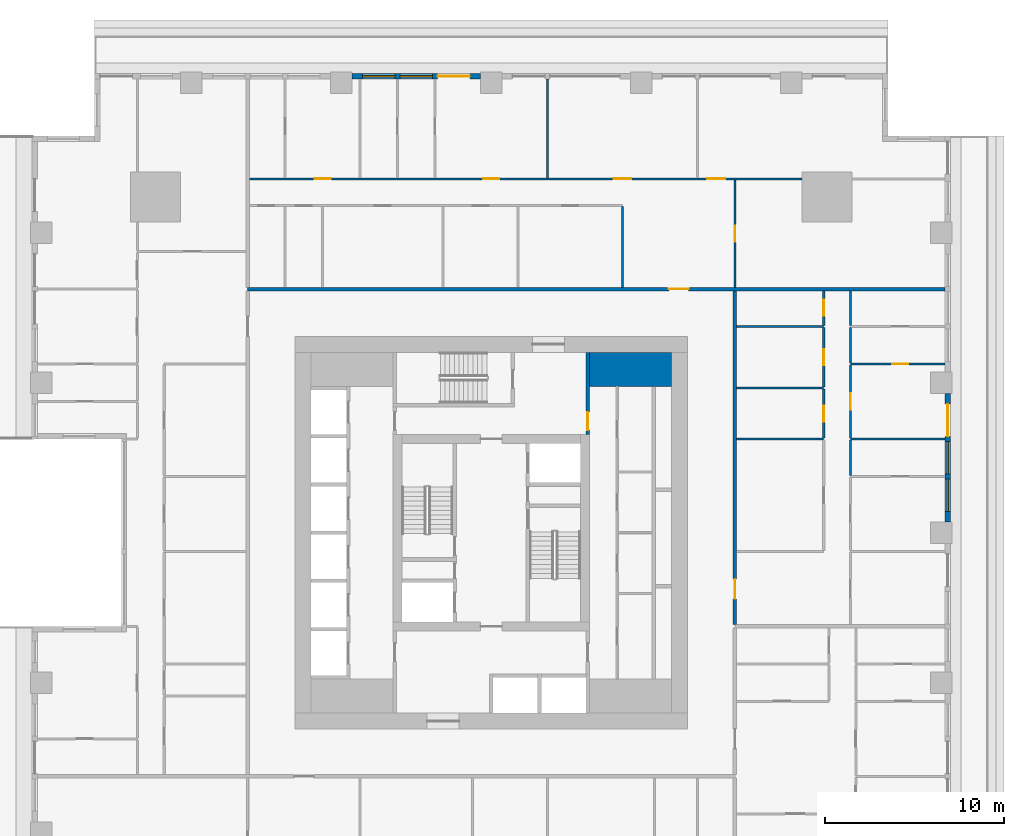
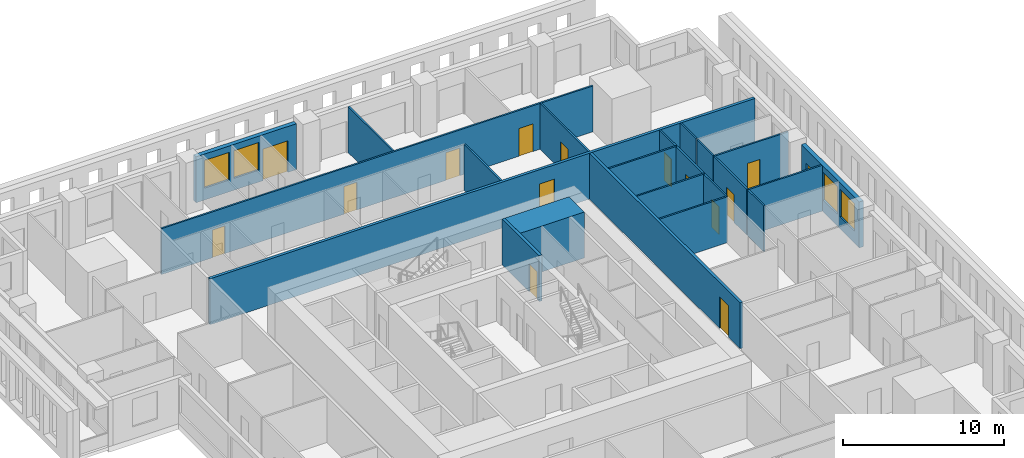
# One storey, part 8 of 14: 22 walls, 15 doors, 4 windows, 19 openings.
"""IFC4 building model written with IfcOpenShell, lengths in metres."""

from ifc_helpers import new_model, si_unit, direction, frame, frame_2d, origin, place, context, subcontext, project, spatial, rectangle, extrude, material, layer, layer_set, type_object, element, fill, save


model = new_model("IFC4")

# Units and contexts
model_context = context("Model", 3, precision=1e-05, world=origin(), true_north=direction((0.0, 1.0)))
body_context = subcontext(model_context, "Body", "Model", "MODEL_VIEW")
ifc_project = project(units=[si_unit("LENGTHUNIT", "METRE"), si_unit("AREAUNIT", "SQUARE_METRE"), si_unit("VOLUMEUNIT", "CUBIC_METRE"), si_unit("PLANEANGLEUNIT", "RADIAN"), si_unit("MASSUNIT", "GRAM", prefix="KILO")], contexts=[model_context])

# Site, building, storey
site_placement = place(None, origin())
site = spatial("IfcSite", under=ifc_project, at=site_placement, CompositionType="ELEMENT")
building_placement = place(site_placement, origin())
building = spatial("IfcBuilding", under=site, at=building_placement, Name="Khepri Terraces", CompositionType="ELEMENT")
storey_placement = place(building_placement, frame((0.0, 0.0, 90.89990234375)))
storey = spatial("IfcBuildingStorey", under=building, at=storey_placement, Name="L21", CompositionType="ELEMENT", Elevation=90.89990234375)

# Wall
ifc_material_1 = material(Name="Concrete C70/85", Category="concrete")
ifc_layer_1 = layer(ifc_material_1, 1.89990234375, Name="Concrete C70/85", Category="concrete")
ifc_layer_set_1 = layer_set([ifc_layer_1], Name="Concrete C70/85")
wall_type_1 = type_object("IfcWallType", Name="Core wall 1900 C70/85", PredefinedType="SHEAR", material=ifc_layer_set_1)
wall_1_placement = place(storey_placement, frame((5.5, 9.14990234375, 0.0), z_axis=(0.0, 0.0, 1.0), x_axis=(1.0, 0.0, 0.0)))
element("IfcWall", 1, at=wall_1_placement, inside=storey, type_object=wall_type_1, Name="Core wall PR04 L21", PredefinedType="SHEAR", context=body_context, shape_type="SweptSolid", body=[
    extrude(rectangle(XDim=4.60009765625, YDim=1.89990234375, at=frame_2d((2.300048828125, 0.0))), origin(), (0.0, 0.0, 1.0), 3.47998046875),
])

# Wall, opening, door
ifc_material_2 = material(Name="Fire-rated gypsum board partition")
ifc_layer_2 = layer(ifc_material_2, 0.199951171875, Name="Fire-rated gypsum board partition")
ifc_layer_set_2 = layer_set([ifc_layer_2], Name="Fire-rated gypsum board partition")
wall_type_2 = type_object("IfcWallType", Name="WL-CORE-PART-200", PredefinedType="PARTITIONING", material=ifc_layer_set_2)
wall_2_placement = place(storey_placement, frame((5.39990234375, 5.5, 0.0), z_axis=(0.0, 0.0, 1.0), x_axis=(0.0, 1.0, 0.0)))
wall_2 = element("IfcWall", 2, at=wall_2_placement, inside=storey, type_object=wall_type_2, Name="Core partition PT08 L21", PredefinedType="PARTITIONING", context=body_context, shape_type="SweptSolid", body=[
    extrude(rectangle(XDim=4.60009765625, YDim=0.199951171875, at=frame_2d((2.300048828125, 0.0))), origin(), (0.0, 0.0, 1.0), 3.47998046875),
])
opening_1_placement = place(wall_2_placement, frame((0.25, 0.0, 0.0)))
opening_1 = element("IfcOpeningElement", 3, at=opening_1_placement, cuts=wall_2, Name="Opening L21-C17", PredefinedType="OPENING", context=body_context, shape_type="SweptSolid", body=[
    extrude(rectangle(XDim=1.0, YDim=2.10009765625, at=frame_2d((0.5, 1.050048828125))), frame((0.0, 0.10986328125, 0.0), z_axis=(0.0, -1.0, 0.0), x_axis=(1.0, 0.0, 0.0)), (0.0, 0.0, 1.0), 0.219970703125),
])
ifc_material_3 = material(Name="Painted steel", Category="steel")
door_type_1 = type_object("IfcDoorType", Name="DR-CORE-LOBBY-1000", OperationType="NOTDEFINED", PredefinedType="DOOR", material=ifc_material_3)
door_1_placement = place(opening_1_placement, origin())
door_1 = element("IfcDoor", 4, at=door_1_placement, inside=storey, type_object=door_type_1, Name="Lobby door L21-C17", OperationType="SINGLE_SWING_LEFT", OverallHeight=2.10009765625, OverallWidth=1.0, PredefinedType="DOOR", context=body_context, shape_type="SweptSolid", body=[
    extrude(rectangle(XDim=1.0, YDim=2.10009765625, at=frame_2d((0.5, 1.050048828125))), frame((0.0, 0.02490234375, 0.0), z_axis=(0.0, -1.0, 0.0), x_axis=(1.0, 0.0, 0.0)), (0.0, 0.0, 1.0), 0.050048828125),
])
fill(opening_1, door_1)

ifc_material_4 = material(Name="Fire-rated gypsum plasterboard partition, mineral wool")
ifc_layer_3 = layer(ifc_material_4, 0.199951171875, Name="Fire-rated gypsum plasterboard partition, mineral wool")
ifc_layer_set_3 = layer_set([ifc_layer_3], Name="Fire-rated gypsum plasterboard partition, mineral wool")
wall_type_3 = type_object("IfcWallType", Name="WL-CORR-200", PredefinedType="PARTITIONING", material=ifc_layer_set_3)
wall_3_placement = place(storey_placement, frame((13.64990234375, -5.14990234375, 0.0), z_axis=(0.0, 0.0, 1.0), x_axis=(0.0, 1.0, 0.0)))
wall_3 = element("IfcWall", 5, at=wall_3_placement, inside=storey, type_object=wall_type_3, Name="Partition P-042 L21", PredefinedType="PARTITIONING", context=body_context, shape_type="SweptSolid", body=[
    extrude(rectangle(XDim=18.699951171875, YDim=0.199951171875, at=frame_2d((9.35009765625, 0.0))), origin(), (0.0, 0.0, 1.0), 3.47998046875),
])
opening_2_placement = place(wall_3_placement, frame((1.449951171875, 0.0, 0.0)))
opening_2 = element("IfcOpeningElement", 6, at=opening_2_placement, cuts=wall_3, Name="Opening D1", PredefinedType="OPENING", context=body_context, shape_type="SweptSolid", body=[
    extrude(rectangle(XDim=1.10009765625, YDim=2.39990234375, at=frame_2d((0.550048828125, 1.199951171875))), frame((0.0, 0.10986328125, 0.0), z_axis=(0.0, -1.0, 0.0), x_axis=(1.0, 0.0, 0.0)), (0.0, 0.0, 1.0), 0.219970703125),
])
ifc_material_5 = material(Name="Solid-core timber door leaf, flat entrance door", Category="wood")
door_type_2 = type_object("IfcDoorType", Name="DR-ENT-1100", OperationType="NOTDEFINED", PredefinedType="DOOR", material=ifc_material_5)
door_2_placement = place(opening_2_placement, frame((1.10009765625, 0.0, 0.0), z_axis=(0.0, 0.0, 1.0), x_axis=(-1.0, 0.0, 0.0)))
door_2 = element("IfcDoor", 7, at=door_2_placement, inside=storey, type_object=door_type_2, Name="Flat B2 entrance door", OperationType="SINGLE_SWING_RIGHT", OverallHeight=2.39990234375, OverallWidth=1.10009765625, PredefinedType="DOOR", context=body_context, shape_type="SweptSolid", body=[
    extrude(rectangle(XDim=1.10009765625, YDim=2.39990234375, at=frame_2d((0.550048828125, 1.199951171875))), frame((0.0, 0.02490234375, 0.0), z_axis=(0.0, -1.0, 0.0), x_axis=(1.0, 0.0, 0.0)), (0.0, 0.0, 1.0), 0.050048828125),
])
fill(opening_2, door_2)

wall_4_placement = place(storey_placement, frame((-13.64990234375, 13.64990234375, 0.0), z_axis=(0.0, 0.0, 1.0), x_axis=(1.0, 0.0, 0.0)))
wall_4 = element("IfcWall", 8, at=wall_4_placement, inside=storey, type_object=wall_type_3, Name="Partition P-074 L21", PredefinedType="PARTITIONING", context=body_context, shape_type="SweptSolid", body=[
    extrude(rectangle(XDim=39.06982421875, YDim=0.199951171875, at=frame_2d((19.534912109375, 0.0))), origin(), (0.0, 0.0, 1.0), 3.47998046875),
])
opening_3_placement = place(wall_4_placement, frame((23.60009765625, 0.0, 0.0)))
opening_3 = element("IfcOpeningElement", 9, at=opening_3_placement, cuts=wall_4, Name="Opening D1", PredefinedType="OPENING", context=body_context, shape_type="SweptSolid", body=[
    extrude(rectangle(XDim=1.10009765625, YDim=2.39990234375, at=frame_2d((0.550048828125, 1.199951171875))), frame((0.0, 0.10986328125, 0.0), z_axis=(0.0, -1.0, 0.0), x_axis=(1.0, 0.0, 0.0)), (0.0, 0.0, 1.0), 0.219970703125),
])
door_3_placement = place(opening_3_placement, origin())
door_3 = element("IfcDoor", 10, at=door_3_placement, inside=storey, type_object=door_type_2, Name="Flat C1 entrance door", OperationType="SINGLE_SWING_RIGHT", OverallHeight=2.39990234375, OverallWidth=1.10009765625, PredefinedType="DOOR", context=body_context, shape_type="SweptSolid", body=[
    extrude(rectangle(XDim=1.10009765625, YDim=2.39990234375, at=frame_2d((0.550048828125, 1.199951171875))), frame((0.0, 0.02490234375, 0.0), z_axis=(0.0, -1.0, 0.0), x_axis=(1.0, 0.0, 0.0)), (0.0, 0.0, 1.0), 0.050048828125),
])
fill(opening_3, door_3)

# Wall, openings, door, windows
ifc_material_6 = material(Name="Precast concrete C50/60 warm stone", Category="masonry")
ifc_layer_4 = layer(ifc_material_6, 0.300048828125, Name="Precast concrete C50/60 warm stone", Category="masonry")
ifc_layer_set_4 = layer_set([ifc_layer_4], Name="Precast concrete C50/60 warm stone")
wall_type_4 = type_object("IfcWallType", Name="WL-EXT-PRECAST-300", PredefinedType="STANDARD", material=ifc_layer_set_4)
wall_5_placement = place(storey_placement, frame((25.570068359375, 0.60009765625, 0.0), z_axis=(0.0, 0.0, 1.0), x_axis=(0.0, 1.0, 0.0)))
wall_5 = element("IfcWall", 11, at=wall_5_placement, inside=storey, type_object=wall_type_4, Name="External wall L21 E", PredefinedType="STANDARD", context=body_context, shape_type="SweptSolid", body=[
    extrude(rectangle(XDim=7.199951171875, YDim=0.300048828125, at=frame_2d((3.60009765625, 0.0))), origin(), (0.0, 0.0, 1.0), 3.47998046875),
])
opening_4_placement = place(wall_5_placement, frame((0.60009765625, 0.0, 0.89990234375)))
opening_4 = element("IfcOpeningElement", 12, at=opening_4_placement, cuts=wall_5, Name="Opening W1", PredefinedType="OPENING", context=body_context, shape_type="SweptSolid", body=[
    extrude(rectangle(XDim=1.800048828125, YDim=2.10009765625, at=frame_2d((0.89990234375, 1.050048828125))), frame((0.0, 0.16015625, 0.0), z_axis=(0.0, -1.0, 0.0), x_axis=(1.0, 0.0, 0.0)), (0.0, 0.0, 1.0), 0.320068359375),
])
opening_5_placement = place(wall_5_placement, frame((2.699951171875, 0.0, 0.89990234375)))
opening_5 = element("IfcOpeningElement", 13, at=opening_5_placement, cuts=wall_5, Name="Opening W1", PredefinedType="OPENING", context=body_context, shape_type="SweptSolid", body=[
    extrude(rectangle(XDim=1.800048828125, YDim=2.10009765625, at=frame_2d((0.89990234375, 1.050048828125))), frame((0.0, 0.16015625, 0.0), z_axis=(0.0, -1.0, 0.0), x_axis=(1.0, 0.0, 0.0)), (0.0, 0.0, 1.0), 0.320068359375),
])
opening_6_placement = place(wall_5_placement, frame((4.800048828125, 0.0, 0.0)))
opening_6 = element("IfcOpeningElement", 14, at=opening_6_placement, cuts=wall_5, Name="Opening ED-L21-05", PredefinedType="OPENING", context=body_context, shape_type="SweptSolid", body=[
    extrude(rectangle(XDim=1.800048828125, YDim=2.39990234375, at=frame_2d((0.89990234375, 1.199951171875))), frame((0.0, 0.16015625, 0.0), z_axis=(0.0, -1.0, 0.0), x_axis=(1.0, 0.0, 0.0)), (0.0, 0.0, 1.0), 0.320068359375),
])
ifc_material_7 = material(Name="Anodised aluminium bronze glazed door", Category="aluminium")
door_type_3 = type_object("IfcDoorType", Name="DR-BAL-SLIDE-1800x2400", OperationType="NOTDEFINED", PredefinedType="DOOR", material=ifc_material_7)
door_4_placement = place(opening_6_placement, origin())
door_4 = element("IfcDoor", 15, at=door_4_placement, inside=storey, type_object=door_type_3, Name="Balcony door L21 E", OperationType="SLIDING_TO_RIGHT", OverallHeight=2.39990234375, OverallWidth=1.800048828125, PredefinedType="DOOR", context=body_context, shape_type="SweptSolid", body=[
    extrude(rectangle(XDim=1.800048828125, YDim=2.39990234375, at=frame_2d((0.89990234375, 1.199951171875))), frame((0.0, 0.02490234375, 0.0), z_axis=(0.0, -1.0, 0.0), x_axis=(1.0, 0.0, 0.0)), (0.0, 0.0, 1.0), 0.050048828125),
])
fill(opening_6, door_4)
ifc_material_8 = material(Name="Clear glass", Category="glass")
window_type = type_object("IfcWindowType", Name="WIN-RES-1800x2100", PartitioningType="SINGLE_PANEL", PredefinedType="WINDOW", material=ifc_material_8)
window_1_placement = place(opening_4_placement, origin())
window_1 = element("IfcWindow", 16, at=window_1_placement, inside=storey, type_object=window_type, Name="Window L21 E", OverallHeight=2.10009765625, OverallWidth=1.800048828125, PartitioningType="SINGLE_PANEL", PredefinedType="WINDOW", context=body_context, shape_type="SweptSolid", body=[
    extrude(rectangle(XDim=1.800048828125, YDim=2.10009765625, at=frame_2d((0.89990234375, 1.050048828125))), frame((0.0, 0.030029296875, 0.0), z_axis=(0.0, -1.0, 0.0), x_axis=(1.0, 0.0, 0.0)), (0.0, 0.0, 1.0), 0.06005859375),
])
fill(opening_4, window_1)
window_2_placement = place(opening_5_placement, origin())
window_2 = element("IfcWindow", 17, at=window_2_placement, inside=storey, type_object=window_type, Name="Window L21 E", OverallHeight=2.10009765625, OverallWidth=1.800048828125, PartitioningType="SINGLE_PANEL", PredefinedType="WINDOW", context=body_context, shape_type="SweptSolid", body=[
    extrude(rectangle(XDim=1.800048828125, YDim=2.10009765625, at=frame_2d((0.89990234375, 1.050048828125))), frame((0.0, 0.030029296875, 0.0), z_axis=(0.0, -1.0, 0.0), x_axis=(1.0, 0.0, 0.0)), (0.0, 0.0, 1.0), 0.06005859375),
])
fill(opening_5, window_2)

wall_6_placement = place(storey_placement, frame((-0.60009765625, 25.570068359375, 0.0), z_axis=(0.0, 0.0, 1.0), x_axis=(-1.0, 0.0, 0.0)))
wall_6 = element("IfcWall", 18, at=wall_6_placement, inside=storey, type_object=wall_type_4, Name="External wall L21 N", PredefinedType="STANDARD", context=body_context, shape_type="SweptSolid", body=[
    extrude(rectangle(XDim=7.199951171875, YDim=0.300048828125, at=frame_2d((3.60009765625, 0.0))), origin(), (0.0, 0.0, 1.0), 3.47998046875),
])
opening_7_placement = place(wall_6_placement, frame((0.60009765625, 0.0, 0.0)))
opening_7 = element("IfcOpeningElement", 19, at=opening_7_placement, cuts=wall_6, Name="Opening ED-L21-12", PredefinedType="OPENING", context=body_context, shape_type="SweptSolid", body=[
    extrude(rectangle(XDim=1.800048828125, YDim=2.39990234375, at=frame_2d((0.89990234375, 1.199951171875))), frame((0.0, 0.16015625, 0.0), z_axis=(0.0, -1.0, 0.0), x_axis=(1.0, 0.0, 0.0)), (0.0, 0.0, 1.0), 0.320068359375),
])
opening_8_placement = place(wall_6_placement, frame((2.699951171875, 0.0, 0.89990234375)))
opening_8 = element("IfcOpeningElement", 20, at=opening_8_placement, cuts=wall_6, Name="Opening W1", PredefinedType="OPENING", context=body_context, shape_type="SweptSolid", body=[
    extrude(rectangle(XDim=1.800048828125, YDim=2.10009765625, at=frame_2d((0.89990234375, 1.050048828125))), frame((0.0, 0.16015625, 0.0), z_axis=(0.0, -1.0, 0.0), x_axis=(1.0, 0.0, 0.0)), (0.0, 0.0, 1.0), 0.320068359375),
])
opening_9_placement = place(wall_6_placement, frame((4.800048828125, 0.0, 0.89990234375)))
opening_9 = element("IfcOpeningElement", 21, at=opening_9_placement, cuts=wall_6, Name="Opening W1", PredefinedType="OPENING", context=body_context, shape_type="SweptSolid", body=[
    extrude(rectangle(XDim=1.800048828125, YDim=2.10009765625, at=frame_2d((0.89990234375, 1.050048828125))), frame((0.0, 0.16015625, 0.0), z_axis=(0.0, -1.0, 0.0), x_axis=(1.0, 0.0, 0.0)), (0.0, 0.0, 1.0), 0.320068359375),
])
door_5_placement = place(opening_7_placement, origin())
door_5 = element("IfcDoor", 22, at=door_5_placement, inside=storey, type_object=door_type_3, Name="Balcony door L21 N", OperationType="SLIDING_TO_LEFT", OverallHeight=2.39990234375, OverallWidth=1.800048828125, PredefinedType="DOOR", context=body_context, shape_type="SweptSolid", body=[
    extrude(rectangle(XDim=1.800048828125, YDim=2.39990234375, at=frame_2d((0.89990234375, 1.199951171875))), frame((0.0, 0.02490234375, 0.0), z_axis=(0.0, -1.0, 0.0), x_axis=(1.0, 0.0, 0.0)), (0.0, 0.0, 1.0), 0.050048828125),
])
fill(opening_7, door_5)
window_3_placement = place(opening_8_placement, origin())
window_3 = element("IfcWindow", 23, at=window_3_placement, inside=storey, type_object=window_type, Name="Window L21 N", OverallHeight=2.10009765625, OverallWidth=1.800048828125, PartitioningType="SINGLE_PANEL", PredefinedType="WINDOW", context=body_context, shape_type="SweptSolid", body=[
    extrude(rectangle(XDim=1.800048828125, YDim=2.10009765625, at=frame_2d((0.89990234375, 1.050048828125))), frame((0.0, 0.030029296875, 0.0), z_axis=(0.0, -1.0, 0.0), x_axis=(1.0, 0.0, 0.0)), (0.0, 0.0, 1.0), 0.06005859375),
])
fill(opening_8, window_3)
window_4_placement = place(opening_9_placement, origin())
window_4 = element("IfcWindow", 24, at=window_4_placement, inside=storey, type_object=window_type, Name="Window L21 N", OverallHeight=2.10009765625, OverallWidth=1.800048828125, PartitioningType="SINGLE_PANEL", PredefinedType="WINDOW", context=body_context, shape_type="SweptSolid", body=[
    extrude(rectangle(XDim=1.800048828125, YDim=2.10009765625, at=frame_2d((0.89990234375, 1.050048828125))), frame((0.0, 0.030029296875, 0.0), z_axis=(0.0, -1.0, 0.0), x_axis=(1.0, 0.0, 0.0)), (0.0, 0.0, 1.0), 0.06005859375),
])
fill(opening_9, window_4)

# Walls
ifc_material_9 = material(Name="Gypsum plasterboard partition")
ifc_layer_5 = layer(ifc_material_9, 0.1201171875, Name="Gypsum plasterboard partition")
ifc_layer_set_5 = layer_set([ifc_layer_5], Name="Gypsum plasterboard partition")
wall_type_5 = type_object("IfcWallType", Name="WL-PART-120", PredefinedType="PARTITIONING", material=ifc_layer_set_5)
wall_7_placement = place(storey_placement, frame((20.1201171875, 3.2099609375, 0.0), z_axis=(0.0, 0.0, 1.0), x_axis=(0.0, 1.0, 0.0)))
element("IfcWall", 25, at=wall_7_placement, inside=storey, type_object=wall_type_5, Name="Partition P-053 L21", PredefinedType="PARTITIONING", context=body_context, shape_type="SweptSolid", body=[
    extrude(rectangle(XDim=1.97998046875, YDim=0.1201171875, at=frame_2d((0.989990234375, 0.0))), origin(), (0.0, 0.0, 1.0), 3.47998046875),
])
wall_8_placement = place(storey_placement, frame((13.75, 5.25, 0.0), z_axis=(0.0, 0.0, 1.0), x_axis=(1.0, 0.0, 0.0)))
element("IfcWall", 26, at=wall_8_placement, inside=storey, type_object=wall_type_5, Name="Partition P-055 L21", PredefinedType="PARTITIONING", context=body_context, shape_type="SweptSolid", body=[
    extrude(rectangle(XDim=4.8701171875, YDim=0.1201171875, at=frame_2d((2.43505859375, 0.0))), origin(), (0.0, 0.0, 1.0), 3.47998046875),
])
wall_9_placement = place(storey_placement, frame((20.1201171875, 5.25, 0.0), z_axis=(0.0, 0.0, 1.0), x_axis=(1.0, 0.0, 0.0)))
element("IfcWall", 27, at=wall_9_placement, inside=storey, type_object=wall_type_5, Name="Partition P-056 L21", PredefinedType="PARTITIONING", context=body_context, shape_type="SweptSolid", body=[
    extrude(rectangle(XDim=5.2998046875, YDim=0.1201171875, at=frame_2d((2.64990234375, 0.0))), origin(), (0.0, 0.0, 1.0), 3.47998046875),
])

# Wall, opening, door
wall_10_placement = place(storey_placement, frame((18.6201171875, 5.31005859375, 0.0), z_axis=(0.0, 0.0, 1.0), x_axis=(0.0, 1.0, 0.0)))
wall_10 = element("IfcWall", 28, at=wall_10_placement, inside=storey, type_object=wall_type_5, Name="Partition P-058 L21", PredefinedType="PARTITIONING", context=body_context, shape_type="SweptSolid", body=[
    extrude(rectangle(XDim=2.72998046875, YDim=0.1201171875, at=frame_2d((1.364990234375, 0.0))), origin(), (0.0, 0.0, 1.0), 3.47998046875),
])
opening_10_placement = place(wall_10_placement, frame((0.9150390625, 0.0, 0.0)))
opening_10 = element("IfcOpeningElement", 29, at=opening_10_placement, cuts=wall_10, Name="Opening D4", PredefinedType="OPENING", context=body_context, shape_type="SweptSolid", body=[
    extrude(rectangle(XDim=0.89990234375, YDim=2.10009765625, at=frame_2d((0.449951171875, 1.050048828125))), frame((0.0, 0.070068359375, 0.0), z_axis=(0.0, -1.0, 0.0), x_axis=(1.0, 0.0, 0.0)), (0.0, 0.0, 1.0), 0.14013671875),
])
ifc_material_10 = material(Name="Timber door leaf, moisture resistant", Category="wood")
door_type_4 = type_object("IfcDoorType", Name="DR-WET-900", OperationType="NOTDEFINED", PredefinedType="DOOR", material=ifc_material_10)
door_6_placement = place(opening_10_placement, origin())
door_6 = element("IfcDoor", 30, at=door_6_placement, inside=storey, type_object=door_type_4, Name="Door Powder Room", OperationType="SINGLE_SWING_RIGHT", OverallHeight=2.10009765625, OverallWidth=0.89990234375, PredefinedType="DOOR", context=body_context, shape_type="SweptSolid", body=[
    extrude(rectangle(XDim=0.89990234375, YDim=2.10009765625, at=frame_2d((0.449951171875, 1.050048828125))), frame((0.0, 0.02490234375, 0.0), z_axis=(0.0, -1.0, 0.0), x_axis=(1.0, 0.0, 0.0)), (0.0, 0.0, 1.0), 0.050048828125),
])
fill(opening_10, door_6)

wall_11_placement = place(storey_placement, frame((20.1201171875, 5.31005859375, 0.0), z_axis=(0.0, 0.0, 1.0), x_axis=(0.0, 1.0, 0.0)))
wall_11 = element("IfcWall", 31, at=wall_11_placement, inside=storey, type_object=wall_type_5, Name="Partition P-059 L21", PredefinedType="PARTITIONING", context=body_context, shape_type="SweptSolid", body=[
    extrude(rectangle(XDim=4.079833984375, YDim=0.1201171875, at=frame_2d((2.0400390625, 0.0))), origin(), (0.0, 0.0, 1.0), 3.47998046875),
])
opening_11_placement = place(wall_11_placement, frame((1.590087890625, 0.0, 0.0)))
opening_11 = element("IfcOpeningElement", 32, at=opening_11_placement, cuts=wall_11, Name="Opening D3", PredefinedType="OPENING", context=body_context, shape_type="SweptSolid", body=[
    extrude(rectangle(XDim=0.89990234375, YDim=2.10009765625, at=frame_2d((0.449951171875, 1.050048828125))), frame((0.0, 0.070068359375, 0.0), z_axis=(0.0, -1.0, 0.0), x_axis=(1.0, 0.0, 0.0)), (0.0, 0.0, 1.0), 0.14013671875),
])
ifc_material_11 = material(Name="Timber door leaf", Category="wood")
door_type_5 = type_object("IfcDoorType", Name="DR-INT-900", OperationType="NOTDEFINED", PredefinedType="DOOR", material=ifc_material_11)
door_7_placement = place(opening_11_placement, frame((0.89990234375, 0.0, 0.0), z_axis=(0.0, 0.0, 1.0), x_axis=(-1.0, 0.0, 0.0)))
door_7 = element("IfcDoor", 33, at=door_7_placement, inside=storey, type_object=door_type_5, Name="Door Master Bedroom", OperationType="SINGLE_SWING_RIGHT", OverallHeight=2.10009765625, OverallWidth=0.89990234375, PredefinedType="DOOR", context=body_context, shape_type="SweptSolid", body=[
    extrude(rectangle(XDim=0.89990234375, YDim=2.10009765625, at=frame_2d((0.449951171875, 1.050048828125))), frame((0.0, 0.02490234375, 0.0), z_axis=(0.0, -1.0, 0.0), x_axis=(1.0, 0.0, 0.0)), (0.0, 0.0, 1.0), 0.050048828125),
])
fill(opening_11, door_7)

# Wall
wall_12_placement = place(storey_placement, frame((13.75, 8.10009765625, 0.0), z_axis=(0.0, 0.0, 1.0), x_axis=(1.0, 0.0, 0.0)))
element("IfcWall", 34, at=wall_12_placement, inside=storey, type_object=wall_type_5, Name="Partition P-062 L21", PredefinedType="PARTITIONING", context=body_context, shape_type="SweptSolid", body=[
    extrude(rectangle(XDim=4.8701171875, YDim=0.1201171875, at=frame_2d((2.43505859375, 0.0))), origin(), (0.0, 0.0, 1.0), 3.47998046875),
])

# Wall, opening, door
wall_13_placement = place(storey_placement, frame((18.6201171875, 8.159912109375, 0.0), z_axis=(0.0, 0.0, 1.0), x_axis=(0.0, 1.0, 0.0)))
wall_13 = element("IfcWall", 35, at=wall_13_placement, inside=storey, type_object=wall_type_5, Name="Partition P-063 L21", PredefinedType="PARTITIONING", context=body_context, shape_type="SweptSolid", body=[
    extrude(rectangle(XDim=3.330078125, YDim=0.1201171875, at=frame_2d((1.6650390625, 0.0))), origin(), (0.0, 0.0, 1.0), 3.47998046875),
])
opening_12_placement = place(wall_13_placement, frame((1.215087890625, 0.0, 0.0)))
opening_12 = element("IfcOpeningElement", 36, at=opening_12_placement, cuts=wall_13, Name="Opening D3", PredefinedType="OPENING", context=body_context, shape_type="SweptSolid", body=[
    extrude(rectangle(XDim=0.89990234375, YDim=2.10009765625, at=frame_2d((0.449951171875, 1.050048828125))), frame((0.0, 0.070068359375, 0.0), z_axis=(0.0, -1.0, 0.0), x_axis=(1.0, 0.0, 0.0)), (0.0, 0.0, 1.0), 0.14013671875),
])
door_8_placement = place(opening_12_placement, origin())
door_8 = element("IfcDoor", 37, at=door_8_placement, inside=storey, type_object=door_type_5, Name="Door Staff Bedroom", OperationType="SINGLE_SWING_LEFT", OverallHeight=2.10009765625, OverallWidth=0.89990234375, PredefinedType="DOOR", context=body_context, shape_type="SweptSolid", body=[
    extrude(rectangle(XDim=0.89990234375, YDim=2.10009765625, at=frame_2d((0.449951171875, 1.050048828125))), frame((0.0, 0.02490234375, 0.0), z_axis=(0.0, -1.0, 0.0), x_axis=(1.0, 0.0, 0.0)), (0.0, 0.0, 1.0), 0.050048828125),
])
fill(opening_12, door_8)

wall_14_placement = place(storey_placement, frame((20.1201171875, 9.449951171875, 0.0), z_axis=(0.0, 0.0, 1.0), x_axis=(1.0, 0.0, 0.0)))
wall_14 = element("IfcWall", 38, at=wall_14_placement, inside=storey, type_object=wall_type_5, Name="Partition P-066 L21", PredefinedType="PARTITIONING", context=body_context, shape_type="SweptSolid", body=[
    extrude(rectangle(XDim=5.2998046875, YDim=0.1201171875, at=frame_2d((2.64990234375, 0.0))), origin(), (0.0, 0.0, 1.0), 3.47998046875),
])
opening_13_placement = place(wall_14_placement, frame((2.35009765625, 0.0, 0.0)))
opening_13 = element("IfcOpeningElement", 39, at=opening_13_placement, cuts=wall_14, Name="Opening D3", PredefinedType="OPENING", context=body_context, shape_type="SweptSolid", body=[
    extrude(rectangle(XDim=0.89990234375, YDim=2.10009765625, at=frame_2d((0.449951171875, 1.050048828125))), frame((0.0, 0.070068359375, 0.0), z_axis=(0.0, -1.0, 0.0), x_axis=(1.0, 0.0, 0.0)), (0.0, 0.0, 1.0), 0.14013671875),
])
door_9_placement = place(opening_13_placement, origin())
door_9 = element("IfcDoor", 40, at=door_9_placement, inside=storey, type_object=door_type_5, Name="Door Dressing Room", OperationType="SINGLE_SWING_RIGHT", OverallHeight=2.10009765625, OverallWidth=0.89990234375, PredefinedType="DOOR", context=body_context, shape_type="SweptSolid", body=[
    extrude(rectangle(XDim=0.89990234375, YDim=2.10009765625, at=frame_2d((0.449951171875, 1.050048828125))), frame((0.0, 0.02490234375, 0.0), z_axis=(0.0, -1.0, 0.0), x_axis=(1.0, 0.0, 0.0)), (0.0, 0.0, 1.0), 0.050048828125),
])
fill(opening_13, door_9)

# Walls
wall_15_placement = place(storey_placement, frame((20.1201171875, 9.510009765625, 0.0), z_axis=(0.0, 0.0, 1.0), x_axis=(0.0, 1.0, 0.0)))
element("IfcWall", 41, at=wall_15_placement, inside=storey, type_object=wall_type_5, Name="Partition P-068 L21", PredefinedType="PARTITIONING", context=body_context, shape_type="SweptSolid", body=[
    extrude(rectangle(XDim=1.97998046875, YDim=0.1201171875, at=frame_2d((0.989990234375, 0.0))), origin(), (0.0, 0.0, 1.0), 3.47998046875),
])
wall_16_placement = place(storey_placement, frame((13.75, 11.550048828125, 0.0), z_axis=(0.0, 0.0, 1.0), x_axis=(1.0, 0.0, 0.0)))
element("IfcWall", 42, at=wall_16_placement, inside=storey, type_object=wall_type_5, Name="Partition P-069 L21", PredefinedType="PARTITIONING", context=body_context, shape_type="SweptSolid", body=[
    extrude(rectangle(XDim=4.8701171875, YDim=0.1201171875, at=frame_2d((2.43505859375, 0.0))), origin(), (0.0, 0.0, 1.0), 3.47998046875),
])

# Wall, opening, door
wall_17_placement = place(storey_placement, frame((18.6201171875, 11.610107421875, 0.0), z_axis=(0.0, 0.0, 1.0), x_axis=(0.0, 1.0, 0.0)))
wall_17 = element("IfcWall", 43, at=wall_17_placement, inside=storey, type_object=wall_type_5, Name="Partition P-071 L21", PredefinedType="PARTITIONING", context=body_context, shape_type="SweptSolid", body=[
    extrude(rectangle(XDim=1.93994140625, YDim=0.1201171875, at=frame_2d((0.969970703125, 0.0))), origin(), (0.0, 0.0, 1.0), 3.47998046875),
])
opening_14_placement = place(wall_17_placement, frame((0.5400390625, 0.0, 0.0)))
opening_14 = element("IfcOpeningElement", 44, at=opening_14_placement, cuts=wall_17, Name="Opening D4", PredefinedType="OPENING", context=body_context, shape_type="SweptSolid", body=[
    extrude(rectangle(XDim=0.89990234375, YDim=2.10009765625, at=frame_2d((0.449951171875, 1.050048828125))), frame((0.0, 0.070068359375, 0.0), z_axis=(0.0, -1.0, 0.0), x_axis=(1.0, 0.0, 0.0)), (0.0, 0.0, 1.0), 0.14013671875),
])
door_10_placement = place(opening_14_placement, origin())
door_10 = element("IfcDoor", 45, at=door_10_placement, inside=storey, type_object=door_type_4, Name="Door Guest Bathroom", OperationType="SINGLE_SWING_RIGHT", OverallHeight=2.10009765625, OverallWidth=0.89990234375, PredefinedType="DOOR", context=body_context, shape_type="SweptSolid", body=[
    extrude(rectangle(XDim=0.89990234375, YDim=2.10009765625, at=frame_2d((0.449951171875, 1.050048828125))), frame((0.0, 0.02490234375, 0.0), z_axis=(0.0, -1.0, 0.0), x_axis=(1.0, 0.0, 0.0)), (0.0, 0.0, 1.0), 0.050048828125),
])
fill(opening_14, door_10)

# Walls
wall_18_placement = place(storey_placement, frame((20.1201171875, 11.610107421875, 0.0), z_axis=(0.0, 0.0, 1.0), x_axis=(0.0, 1.0, 0.0)))
element("IfcWall", 46, at=wall_18_placement, inside=storey, type_object=wall_type_5, Name="Partition P-072 L21", PredefinedType="PARTITIONING", context=body_context, shape_type="SweptSolid", body=[
    extrude(rectangle(XDim=1.93994140625, YDim=0.1201171875, at=frame_2d((0.969970703125, 0.0))), origin(), (0.0, 0.0, 1.0), 3.47998046875),
])
wall_19_placement = place(storey_placement, frame((7.35009765625, 13.75, 0.0), z_axis=(0.0, 0.0, 1.0), x_axis=(0.0, 1.0, 0.0)))
element("IfcWall", 47, at=wall_19_placement, inside=storey, type_object=wall_type_5, Name="Partition P-081 L21", PredefinedType="PARTITIONING", context=body_context, shape_type="SweptSolid", body=[
    extrude(rectangle(XDim=4.510009765625, YDim=0.1201171875, at=frame_2d((2.2548828125, 0.0))), origin(), (0.0, 0.0, 1.0), 3.47998046875),
])

# Wall, opening, door
wall_20_placement = place(storey_placement, frame((13.64990234375, 13.75, 0.0), z_axis=(0.0, 0.0, 1.0), x_axis=(0.0, 1.0, 0.0)))
wall_20 = element("IfcWall", 48, at=wall_20_placement, inside=storey, type_object=wall_type_5, Name="Partition P-082 L21", PredefinedType="PARTITIONING", context=body_context, shape_type="SweptSolid", body=[
    extrude(rectangle(XDim=6.010009765625, YDim=0.1201171875, at=frame_2d((3.0048828125, 0.0))), origin(), (0.0, 0.0, 1.0), 3.47998046875),
])
opening_15_placement = place(wall_20_placement, frame((2.534912109375, 0.0, 0.0)))
opening_15 = element("IfcOpeningElement", 49, at=opening_15_placement, cuts=wall_20, Name="Opening D3", PredefinedType="OPENING", context=body_context, shape_type="SweptSolid", body=[
    extrude(rectangle(XDim=0.89990234375, YDim=2.10009765625, at=frame_2d((0.449951171875, 1.050048828125))), frame((0.0, 0.070068359375, 0.0), z_axis=(0.0, -1.0, 0.0), x_axis=(1.0, 0.0, 0.0)), (0.0, 0.0, 1.0), 0.14013671875),
])
door_11_placement = place(opening_15_placement, frame((0.89990234375, 0.0, 0.0), z_axis=(0.0, 0.0, 1.0), x_axis=(-1.0, 0.0, 0.0)))
door_11 = element("IfcDoor", 50, at=door_11_placement, inside=storey, type_object=door_type_5, Name="Door Home Gym", OperationType="SINGLE_SWING_RIGHT", OverallHeight=2.10009765625, OverallWidth=0.89990234375, PredefinedType="DOOR", context=body_context, shape_type="SweptSolid", body=[
    extrude(rectangle(XDim=0.89990234375, YDim=2.10009765625, at=frame_2d((0.449951171875, 1.050048828125))), frame((0.0, 0.02490234375, 0.0), z_axis=(0.0, -1.0, 0.0), x_axis=(1.0, 0.0, 0.0)), (0.0, 0.0, 1.0), 0.050048828125),
])
fill(opening_15, door_11)

# Wall, openings, doors
wall_21_placement = place(storey_placement, frame((-13.550048828125, 19.820068359375, 0.0), z_axis=(0.0, 0.0, 1.0), x_axis=(1.0, 0.0, 0.0)))
wall_21 = element("IfcWall", 51, at=wall_21_placement, inside=storey, type_object=wall_type_5, Name="Partition P-086 L21", PredefinedType="PARTITIONING", context=body_context, shape_type="SweptSolid", body=[
    extrude(rectangle(XDim=30.949951171875, YDim=0.1201171875, at=frame_2d((15.47509765625, 0.0))), origin(), (0.0, 0.0, 1.0), 3.47998046875),
])
opening_16_placement = place(wall_21_placement, frame((25.64990234375, 0.0, 0.0)))
opening_16 = element("IfcOpeningElement", 52, at=opening_16_placement, cuts=wall_21, Name="Opening D2", PredefinedType="OPENING", context=body_context, shape_type="SweptSolid", body=[
    extrude(rectangle(XDim=1.0, YDim=2.10009765625, at=frame_2d((0.5, 1.050048828125))), frame((0.0, 0.070068359375, 0.0), z_axis=(0.0, -1.0, 0.0), x_axis=(1.0, 0.0, 0.0)), (0.0, 0.0, 1.0), 0.14013671875),
])
opening_17_placement = place(wall_21_placement, frame((20.39990234375, 0.0, 0.0)))
opening_17 = element("IfcOpeningElement", 53, at=opening_17_placement, cuts=wall_21, Name="Opening D2", PredefinedType="OPENING", context=body_context, shape_type="SweptSolid", body=[
    extrude(rectangle(XDim=1.0, YDim=2.10009765625, at=frame_2d((0.5, 1.050048828125))), frame((0.0, 0.070068359375, 0.0), z_axis=(0.0, -1.0, 0.0), x_axis=(1.0, 0.0, 0.0)), (0.0, 0.0, 1.0), 0.14013671875),
])
opening_18_placement = place(wall_21_placement, frame((13.10009765625, 0.0, 0.0)))
opening_18 = element("IfcOpeningElement", 54, at=opening_18_placement, cuts=wall_21, Name="Opening D3", PredefinedType="OPENING", context=body_context, shape_type="SweptSolid", body=[
    extrude(rectangle(XDim=0.89990234375, YDim=2.10009765625, at=frame_2d((0.449951171875, 1.050048828125))), frame((0.0, 0.070068359375, 0.0), z_axis=(0.0, -1.0, 0.0), x_axis=(1.0, 0.0, 0.0)), (0.0, 0.0, 1.0), 0.14013671875),
])
opening_19_placement = place(wall_21_placement, frame((3.64990234375, 0.0, 0.0)))
opening_19 = element("IfcOpeningElement", 55, at=opening_19_placement, cuts=wall_21, Name="Opening D3", PredefinedType="OPENING", context=body_context, shape_type="SweptSolid", body=[
    extrude(rectangle(XDim=0.89990234375, YDim=2.10009765625, at=frame_2d((0.449951171875, 1.050048828125))), frame((0.0, 0.070068359375, 0.0), z_axis=(0.0, -1.0, 0.0), x_axis=(1.0, 0.0, 0.0)), (0.0, 0.0, 1.0), 0.14013671875),
])
ifc_material_12 = material(Name="Timber door leaf, living room door", Category="wood")
door_type_6 = type_object("IfcDoorType", Name="DR-INT-1000", OperationType="NOTDEFINED", PredefinedType="DOOR", material=ifc_material_12)
door_12_placement = place(opening_16_placement, origin())
door_12 = element("IfcDoor", 56, at=door_12_placement, inside=storey, type_object=door_type_6, Name="Door Living Room", OperationType="SINGLE_SWING_RIGHT", OverallHeight=2.10009765625, OverallWidth=1.0, PredefinedType="DOOR", context=body_context, shape_type="SweptSolid", body=[
    extrude(rectangle(XDim=1.0, YDim=2.10009765625, at=frame_2d((0.5, 1.050048828125))), frame((0.0, 0.02490234375, 0.0), z_axis=(0.0, -1.0, 0.0), x_axis=(1.0, 0.0, 0.0)), (0.0, 0.0, 1.0), 0.050048828125),
])
fill(opening_16, door_12)
door_13_placement = place(opening_17_placement, origin())
door_13 = element("IfcDoor", 57, at=door_13_placement, inside=storey, type_object=door_type_6, Name="Door Family Room", OperationType="SINGLE_SWING_RIGHT", OverallHeight=2.10009765625, OverallWidth=1.0, PredefinedType="DOOR", context=body_context, shape_type="SweptSolid", body=[
    extrude(rectangle(XDim=1.0, YDim=2.10009765625, at=frame_2d((0.5, 1.050048828125))), frame((0.0, 0.02490234375, 0.0), z_axis=(0.0, -1.0, 0.0), x_axis=(1.0, 0.0, 0.0)), (0.0, 0.0, 1.0), 0.050048828125),
])
fill(opening_17, door_13)
door_14_placement = place(opening_18_placement, origin())
door_14 = element("IfcDoor", 58, at=door_14_placement, inside=storey, type_object=door_type_5, Name="Door Master Bedroom", OperationType="SINGLE_SWING_LEFT", OverallHeight=2.10009765625, OverallWidth=0.89990234375, PredefinedType="DOOR", context=body_context, shape_type="SweptSolid", body=[
    extrude(rectangle(XDim=0.89990234375, YDim=2.10009765625, at=frame_2d((0.449951171875, 1.050048828125))), frame((0.0, 0.02490234375, 0.0), z_axis=(0.0, -1.0, 0.0), x_axis=(1.0, 0.0, 0.0)), (0.0, 0.0, 1.0), 0.050048828125),
])
fill(opening_18, door_14)
door_15_placement = place(opening_19_placement, origin())
door_15 = element("IfcDoor", 59, at=door_15_placement, inside=storey, type_object=door_type_5, Name="Door Bedroom", OperationType="SINGLE_SWING_LEFT", OverallHeight=2.10009765625, OverallWidth=0.89990234375, PredefinedType="DOOR", context=body_context, shape_type="SweptSolid", body=[
    extrude(rectangle(XDim=0.89990234375, YDim=2.10009765625, at=frame_2d((0.449951171875, 1.050048828125))), frame((0.0, 0.02490234375, 0.0), z_axis=(0.0, -1.0, 0.0), x_axis=(1.0, 0.0, 0.0)), (0.0, 0.0, 1.0), 0.050048828125),
])
fill(opening_19, door_15)

# Wall
wall_22_placement = place(storey_placement, frame((3.14990234375, 19.8798828125, 0.0), z_axis=(0.0, 0.0, 1.0), x_axis=(0.0, 1.0, 0.0)))
element("IfcWall", 60, at=wall_22_placement, inside=storey, type_object=wall_type_5, Name="Partition P-092 L21", PredefinedType="PARTITIONING", context=body_context, shape_type="SweptSolid", body=[
    extrude(rectangle(XDim=5.5400390625, YDim=0.1201171875, at=frame_2d((2.77001953125, 0.0))), origin(), (0.0, 0.0, 1.0), 3.47998046875),
])

save(model, "model.ifc")
